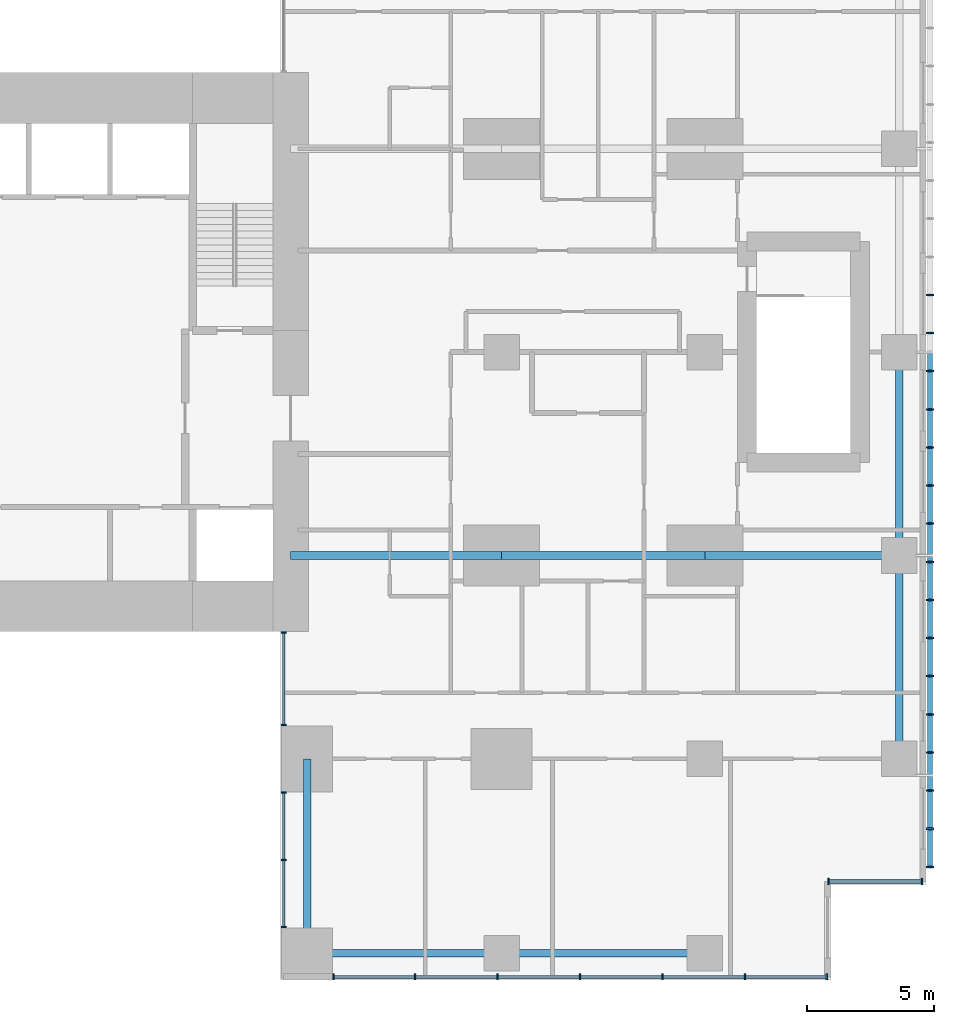
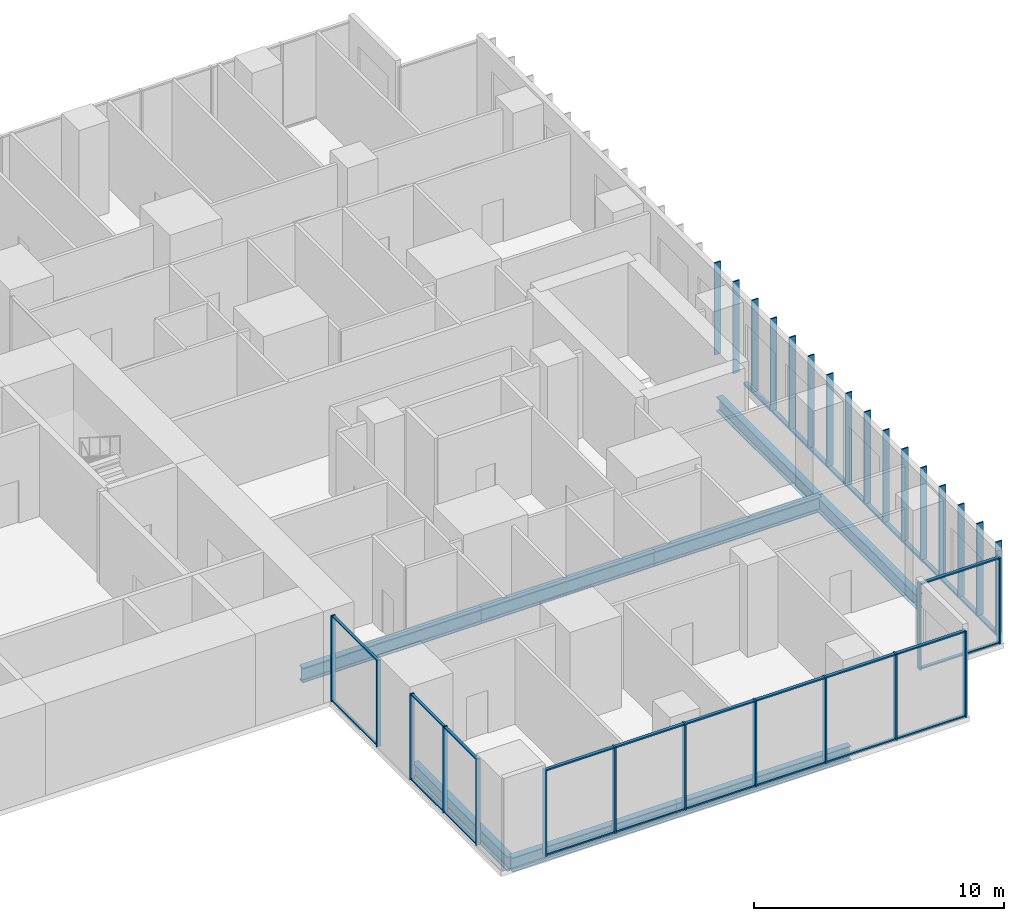
# One storey, part 2 of 11: 52 members, 8 beams, 4 elements without a shape of their own.
"""IFC4 building model written with IfcOpenShell, lengths in metres."""

from ifc_helpers import new_model, si_unit, direction, frame, origin, origin_2d, place, context, subcontext, project, spatial, rectangle, hollow_rectangle, i_section, extrude, material, layer, layer_set, material_profile, profile_set, type_object, element, aggregate, save


model = new_model("IFC4")

# Units and contexts
model_context = context("Model", 3, precision=1e-05, world=origin(), true_north=direction((0.0, 1.0)))
body_context = subcontext(model_context, "Body", "Model", "MODEL_VIEW")
ifc_project = project(units=[si_unit("LENGTHUNIT", "METRE"), si_unit("AREAUNIT", "SQUARE_METRE"), si_unit("VOLUMEUNIT", "CUBIC_METRE"), si_unit("PLANEANGLEUNIT", "RADIAN"), si_unit("MASSUNIT", "GRAM", prefix="KILO")], contexts=[model_context])

# Site, building, storey
site_placement = place(None, origin())
site = spatial("IfcSite", under=ifc_project, at=site_placement, CompositionType="ELEMENT")
building_placement = place(site_placement, origin())
building = spatial("IfcBuilding", under=site, at=building_placement, Name="Cleftline Residences", CompositionType="ELEMENT")
storey_placement = place(building_placement, frame((0.0, 0.0, 287.10009765625)))
storey = spatial("IfcBuildingStorey", under=building, at=storey_placement, Name="L75", CompositionType="ELEMENT", Elevation=287.10009765625)

# Members
ifc_material_1 = material(Name="Steel S355, hot-dip galvanised", Category="steel")
ifc_material_profile_1 = material_profile(ifc_material_1, hollow_rectangle(XDim=0.10009765625, YDim=0.199951171875, WallThickness=0.008056640625, InnerFilletRadius=0.008056640625, OuterFilletRadius=0.011962890625, at=origin_2d()))
ifc_profile_set_1 = profile_set([ifc_material_profile_1], Name="Steel S355, hot-dip galvanised")
member_type_1 = type_object("IfcMemberType", Name="BAGUETTE CARRIER RHS 200X100X8", PredefinedType="USERDEFINED", material=ifc_profile_set_1)
member_1_placement = place(storey_placement, frame((66.85009765625, 3.699951171875, -0.050048828125), z_axis=(0.0, 1.0, 0.0), x_axis=(0.0, 0.0, 1.0)))
element("IfcMember", 1, at=member_1_placement, inside=storey, type_object=member_type_1, Name="Baguette carrier", ObjectType="BAGUETTE CARRIER", PredefinedType="USERDEFINED", context=body_context, shape_type="SweptSolid", body=[
    extrude(hollow_rectangle(XDim=0.10009765625, YDim=0.199951171875, WallThickness=0.008056640625, InnerFilletRadius=0.008056640625, OuterFilletRadius=0.011962890625, at=origin_2d()), origin(), (0.0, 0.0, 1.0), 12.300048828125),
])
member_2_placement = place(storey_placement, frame((66.85009765625, 16.0, -0.050048828125), z_axis=(0.0, 1.0, 0.0), x_axis=(0.0, 0.0, 1.0)))
element("IfcMember", 2, at=member_2_placement, inside=storey, type_object=member_type_1, Name="Baguette carrier", ObjectType="BAGUETTE CARRIER", PredefinedType="USERDEFINED", context=body_context, shape_type="SweptSolid", body=[
    extrude(hollow_rectangle(XDim=0.10009765625, YDim=0.199951171875, WallThickness=0.008056640625, InnerFilletRadius=0.008056640625, OuterFilletRadius=0.011962890625, at=origin_2d()), origin(), (0.0, 0.0, 1.0), 8.0),
])

# Beams
ifc_material_2 = material(Name="Steel S355", Category="steel")
ifc_material_profile_2 = material_profile(ifc_material_2, i_section(OverallWidth=0.300048828125, OverallDepth=0.699951171875, WebThickness=0.01708984375, FlangeThickness=0.031982421875, FilletRadius=0.027099609375, at=origin_2d()))
ifc_profile_set_2 = profile_set([ifc_material_profile_2], Name="Steel S355")
beam_type_1 = type_object("IfcBeamType", Name="BEAM HEB 700", PredefinedType="BEAM", material=ifc_profile_set_2)
for number, where, z_axis, x_axis, name in (
    (3, (65.64990234375, 8.0, -0.60009765625), (0.0, 1.0, 0.0), (-1.0, 0.0, 0.0), "Edge beam"),
    (4, (65.64990234375, 16.0, -0.60009765625), (0.0, 1.0, 0.0), (-1.0, 0.0, 0.0), "Edge beam"),
    (5, (58.0, 0.35009765625, -0.60009765625), (-1.0, 0.0, 0.0), (0.0, -1.0, 0.0), "Edge beam"),
):
    element("IfcBeam", number, at=place(storey_placement, frame(where, z_axis=z_axis, x_axis=x_axis)), inside=storey, type_object=beam_type_1, Name=name, PredefinedType="BEAM", context=body_context, shape_type="SweptSolid", body=[
        extrude(i_section(OverallWidth=0.300048828125, OverallDepth=0.699951171875, WebThickness=0.01708984375, FlangeThickness=0.031982421875, FilletRadius=0.027099609375, at=origin_2d()), origin(), (0.0, 0.0, 1.0), 8.0),
    ])
for number, where, z_axis, x_axis, name in (
    (6, (50.0, 0.35009765625, -0.60009765625), (-1.0, 0.0, 0.0), (0.0, -1.0, 0.0), "Edge beam"),
    (7, (42.35009765625, 0.35009765625, -0.60009765625), (0.0, 1.0, 0.0), (-1.0, 0.0, 0.0), "Edge beam"),
):
    element("IfcBeam", number, at=place(storey_placement, frame(where, z_axis=z_axis, x_axis=x_axis)), inside=storey, type_object=beam_type_1, Name=name, PredefinedType="BEAM", context=body_context, shape_type="SweptSolid", body=[
        extrude(i_section(OverallWidth=0.300048828125, OverallDepth=0.699951171875, WebThickness=0.01708984375, FlangeThickness=0.031982421875, FilletRadius=0.027099609375, at=origin_2d()), origin(), (0.0, 0.0, 1.0), 7.64990234375),
    ])
ifc_material_3 = material(Name="Steel S355", Category="steel")
ifc_material_profile_3 = material_profile(ifc_material_3, i_section(OverallWidth=0.303955078125, OverallDepth=0.716064453125, WebThickness=0.02099609375, FlangeThickness=0.0400390625, FilletRadius=0.027099609375, at=origin_2d()))
ifc_profile_set_3 = profile_set([ifc_material_profile_3], Name="Steel S355")
beam_type_2 = type_object("IfcBeamType", Name="BEAM HEM 700", PredefinedType="BEAM", material=ifc_profile_set_3)
beam_1_placement = place(storey_placement, frame((65.64990234375, 16.0, -0.608154296875), z_axis=(-1.0, 0.0, 0.0), x_axis=(0.0, -1.0, 0.0)))
element("IfcBeam", 8, at=beam_1_placement, inside=storey, type_object=beam_type_2, Name="Band beam", PredefinedType="BEAM", context=body_context, shape_type="SweptSolid", body=[
    extrude(i_section(OverallWidth=0.303955078125, OverallDepth=0.716064453125, WebThickness=0.02099609375, FlangeThickness=0.0400390625, FilletRadius=0.027099609375, at=origin_2d()), origin(), (0.0, 0.0, 1.0), 7.64990234375),
])
beam_2_placement = place(storey_placement, frame((58.0, 16.0, -0.608154296875), z_axis=(-1.0, 0.0, 0.0), x_axis=(0.0, -1.0, 0.0)))
element("IfcBeam", 9, at=beam_2_placement, inside=storey, type_object=beam_type_2, Name="Band beam", PredefinedType="BEAM", context=body_context, shape_type="SweptSolid", body=[
    extrude(i_section(OverallWidth=0.303955078125, OverallDepth=0.716064453125, WebThickness=0.02099609375, FlangeThickness=0.0400390625, FilletRadius=0.027099609375, at=origin_2d()), origin(), (0.0, 0.0, 1.0), 8.0),
])
beam_3_placement = place(storey_placement, frame((50.0, 16.0, -0.608154296875), z_axis=(-1.0, 0.0, 0.0), x_axis=(0.0, -1.0, 0.0)))
element("IfcBeam", 10, at=beam_3_placement, inside=storey, type_object=beam_type_2, Name="Band beam", PredefinedType="BEAM", context=body_context, shape_type="SweptSolid", body=[
    extrude(i_section(OverallWidth=0.303955078125, OverallDepth=0.716064453125, WebThickness=0.02099609375, FlangeThickness=0.0400390625, FilletRadius=0.027099609375, at=origin_2d()), origin(), (0.0, 0.0, 1.0), 8.300048828125),
])

# Curtain wall, members
ifc_material_4 = material(Name="Aluminium framed curtain wall", Category="aluminium")
ifc_layer_1 = layer(ifc_material_4, 0.199951171875)
ifc_layer_set_1 = layer_set([ifc_layer_1], Name="CW1 CLEFT GLAZING")
curtain_wall_type_1 = type_object("IfcCurtainWallType", Name="CW1 CLEFT GLAZING", PredefinedType="NOTDEFINED", material=ifc_layer_set_1)
curtain_wall_1_placement = place(storey_placement, origin())
curtain_wall_1 = element("IfcCurtainWall", 11, at=curtain_wall_1_placement, inside=storey, type_object=curtain_wall_type_1, Name="Curtain wall CW1", PredefinedType="NOTDEFINED")
ifc_material_5 = material(Name="Aluminium mullion", Category="aluminium")
ifc_material_profile_4 = material_profile(ifc_material_5, rectangle(XDim=0.199951171875, YDim=0.06005859375, at=origin_2d()))
ifc_profile_set_4 = profile_set([ifc_material_profile_4], Name="Aluminium mullion")
member_type_2 = type_object("IfcMemberType", Name="CW1 MULLION", PredefinedType="MULLION", material=ifc_profile_set_4)
member_3_placement = place(storey_placement, frame((41.425048828125, 12.969970703125, 0.0), z_axis=(0.0, 0.0, 1.0), x_axis=(1.0, 0.0, 0.0)))
member_3 = element("IfcMember", 12, at=member_3_placement, type_object=member_type_2, Name="CW1 mullion 1", PredefinedType="MULLION", context=body_context, shape_type="SweptSolid", body=[
    extrude(rectangle(XDim=0.199951171875, YDim=0.06005859375, at=origin_2d()), origin(), (0.0, 0.0, 1.0), 4.199951171875),
])
member_4_placement = place(storey_placement, frame((41.425048828125, 9.330078125, 0.0), z_axis=(0.0, 0.0, 1.0), x_axis=(1.0, 0.0, 0.0)))
member_4 = element("IfcMember", 13, at=member_4_placement, type_object=member_type_2, Name="CW1 mullion 2", PredefinedType="MULLION", context=body_context, shape_type="SweptSolid", body=[
    extrude(rectangle(XDim=0.199951171875, YDim=0.06005859375, at=origin_2d()), origin(), (0.0, 0.0, 1.0), 4.199951171875),
])

curtain_wall_2_placement = place(storey_placement, origin())
curtain_wall_2 = element("IfcCurtainWall", 14, at=curtain_wall_2_placement, inside=storey, type_object=curtain_wall_type_1, Name="Curtain wall CW1", PredefinedType="NOTDEFINED")
member_5_placement = place(storey_placement, frame((41.425048828125, 6.669921875, 0.0), z_axis=(0.0, 0.0, 1.0), x_axis=(1.0, 0.0, 0.0)))
member_5 = element("IfcMember", 15, at=member_5_placement, type_object=member_type_2, Name="CW1 mullion 1", PredefinedType="MULLION", context=body_context, shape_type="SweptSolid", body=[
    extrude(rectangle(XDim=0.199951171875, YDim=0.06005859375, at=origin_2d()), origin(), (0.0, 0.0, 1.0), 4.199951171875),
])
member_6_placement = place(storey_placement, frame((41.425048828125, 4.02490234375, 0.0), z_axis=(0.0, 0.0, 1.0), x_axis=(1.0, 0.0, 0.0)))
member_6 = element("IfcMember", 16, at=member_6_placement, type_object=member_type_2, Name="CW1 mullion 2", PredefinedType="MULLION", context=body_context, shape_type="SweptSolid", body=[
    extrude(rectangle(XDim=0.199951171875, YDim=0.06005859375, at=origin_2d()), origin(), (0.0, 0.0, 1.0), 4.199951171875),
])
member_7_placement = place(storey_placement, frame((41.425048828125, 1.3798828125, 0.0), z_axis=(0.0, 0.0, 1.0), x_axis=(1.0, 0.0, 0.0)))
member_7 = element("IfcMember", 17, at=member_7_placement, type_object=member_type_2, Name="CW1 mullion 3", PredefinedType="MULLION", context=body_context, shape_type="SweptSolid", body=[
    extrude(rectangle(XDim=0.199951171875, YDim=0.06005859375, at=origin_2d()), origin(), (0.0, 0.0, 1.0), 4.199951171875),
])

# Member
ifc_material_6 = material(Name="Aluminium transom", Category="aluminium")
ifc_material_profile_5 = material_profile(ifc_material_6, rectangle(XDim=0.1201171875, YDim=0.06005859375, at=origin_2d()))
ifc_profile_set_5 = profile_set([ifc_material_profile_5], Name="Aluminium transom")
member_type_3 = type_object("IfcMemberType", Name="CW1 TRANSOM", PredefinedType="USERDEFINED", material=ifc_profile_set_5)
member_8_placement = place(storey_placement, frame((41.425048828125, 12.93994140625, 0.02978515625), z_axis=(0.0, -1.0, 0.0), x_axis=(1.0, 0.0, 0.0)))
member_8 = element("IfcMember", 18, at=member_8_placement, type_object=member_type_3, Name="CW1 transom 1.1", ObjectType="TRANSOM", PredefinedType="USERDEFINED", context=body_context, shape_type="SweptSolid", body=[
    extrude(rectangle(XDim=0.1201171875, YDim=0.06005859375, at=origin_2d()), origin(), (0.0, 0.0, 1.0), 3.579833984375),
])

member_9_placement = place(storey_placement, frame((41.425048828125, 12.93994140625, 4.169921875), z_axis=(0.0, -1.0, 0.0), x_axis=(1.0, 0.0, 0.0)))
member_9 = element("IfcMember", 19, at=member_9_placement, type_object=member_type_3, Name="CW1 transom 1.2", ObjectType="TRANSOM", PredefinedType="USERDEFINED", context=body_context, shape_type="SweptSolid", body=[
    extrude(rectangle(XDim=0.1201171875, YDim=0.06005859375, at=origin_2d()), origin(), (0.0, 0.0, 1.0), 3.579833984375),
])

aggregate(curtain_wall_1, [member_3, member_4, member_8, member_9])

member_10_placement = place(storey_placement, frame((41.425048828125, 6.639892578125, 0.02978515625), z_axis=(0.0, -1.0, 0.0), x_axis=(1.0, 0.0, 0.0)))
member_10 = element("IfcMember", 20, at=member_10_placement, type_object=member_type_3, Name="CW1 transom 1.1", ObjectType="TRANSOM", PredefinedType="USERDEFINED", context=body_context, shape_type="SweptSolid", body=[
    extrude(rectangle(XDim=0.1201171875, YDim=0.06005859375, at=origin_2d()), origin(), (0.0, 0.0, 1.0), 2.5849609375),
])

member_11_placement = place(storey_placement, frame((41.425048828125, 6.639892578125, 4.169921875), z_axis=(0.0, -1.0, 0.0), x_axis=(1.0, 0.0, 0.0)))
member_11 = element("IfcMember", 21, at=member_11_placement, type_object=member_type_3, Name="CW1 transom 1.2", ObjectType="TRANSOM", PredefinedType="USERDEFINED", context=body_context, shape_type="SweptSolid", body=[
    extrude(rectangle(XDim=0.1201171875, YDim=0.06005859375, at=origin_2d()), origin(), (0.0, 0.0, 1.0), 2.5849609375),
])

member_12_placement = place(storey_placement, frame((41.425048828125, 3.9951171875, 0.02978515625), z_axis=(0.0, -1.0, 0.0), x_axis=(1.0, 0.0, 0.0)))
member_12 = element("IfcMember", 22, at=member_12_placement, type_object=member_type_3, Name="CW1 transom 2.1", ObjectType="TRANSOM", PredefinedType="USERDEFINED", context=body_context, shape_type="SweptSolid", body=[
    extrude(rectangle(XDim=0.1201171875, YDim=0.06005859375, at=origin_2d()), origin(), (0.0, 0.0, 1.0), 2.585205078125),
])

member_13_placement = place(storey_placement, frame((41.425048828125, 3.9951171875, 4.169921875), z_axis=(0.0, -1.0, 0.0), x_axis=(1.0, 0.0, 0.0)))
member_13 = element("IfcMember", 23, at=member_13_placement, type_object=member_type_3, Name="CW1 transom 2.2", ObjectType="TRANSOM", PredefinedType="USERDEFINED", context=body_context, shape_type="SweptSolid", body=[
    extrude(rectangle(XDim=0.1201171875, YDim=0.06005859375, at=origin_2d()), origin(), (0.0, 0.0, 1.0), 2.585205078125),
])

aggregate(curtain_wall_2, [member_5, member_6, member_7, member_10, member_11, member_12, member_13])

# Curtain wall, members
ifc_material_7 = material(Name="Aluminium framed curtain wall", Category="aluminium")
ifc_layer_2 = layer(ifc_material_7, 0.199951171875)
ifc_layer_set_2 = layer_set([ifc_layer_2], Name="CW5 PENTHOUSE GLAZING")
curtain_wall_type_2 = type_object("IfcCurtainWallType", Name="CW5 PENTHOUSE GLAZING", PredefinedType="NOTDEFINED", material=ifc_layer_set_2)
curtain_wall_3_placement = place(storey_placement, origin())
curtain_wall_3 = element("IfcCurtainWall", 24, at=curtain_wall_3_placement, inside=storey, type_object=curtain_wall_type_2, Name="Curtain wall CW5", PredefinedType="NOTDEFINED")
ifc_material_8 = material(Name="Aluminium mullion", Category="aluminium")
ifc_material_profile_6 = material_profile(ifc_material_8, rectangle(XDim=0.239990234375, YDim=0.070068359375, at=origin_2d()))
ifc_profile_set_6 = profile_set([ifc_material_profile_6], Name="Aluminium mullion")
member_type_4 = type_object("IfcMemberType", Name="CW5 MULLION", PredefinedType="MULLION", material=ifc_profile_set_6)
member_14_placement = place(storey_placement, frame((43.385009765625, -0.574951171875, 0.0), z_axis=(0.0, 0.0, 1.0), x_axis=(0.0, 1.0, 0.0)))
member_14 = element("IfcMember", 25, at=member_14_placement, type_object=member_type_4, Name="CW5 mullion 1", PredefinedType="MULLION", context=body_context, shape_type="SweptSolid", body=[
    extrude(rectangle(XDim=0.239990234375, YDim=0.070068359375, at=origin_2d()), origin(), (0.0, 0.0, 1.0), 4.199951171875),
])
member_15_placement = place(storey_placement, frame((46.595947265625, -0.574951171875, 0.0), z_axis=(0.0, 0.0, 1.0), x_axis=(0.0, 1.0, 0.0)))
member_15 = element("IfcMember", 26, at=member_15_placement, type_object=member_type_4, Name="CW5 mullion 2", PredefinedType="MULLION", context=body_context, shape_type="SweptSolid", body=[
    extrude(rectangle(XDim=0.239990234375, YDim=0.070068359375, at=origin_2d()), origin(), (0.0, 0.0, 1.0), 4.199951171875),
])
member_16_placement = place(storey_placement, frame((49.841552734375, -0.574951171875, 0.0), z_axis=(0.0, 0.0, 1.0), x_axis=(0.0, 1.0, 0.0)))
member_16 = element("IfcMember", 27, at=member_16_placement, type_object=member_type_4, Name="CW5 mullion 3", PredefinedType="MULLION", context=body_context, shape_type="SweptSolid", body=[
    extrude(rectangle(XDim=0.239990234375, YDim=0.070068359375, at=origin_2d()), origin(), (0.0, 0.0, 1.0), 4.199951171875),
])
member_17_placement = place(storey_placement, frame((53.08740234375, -0.574951171875, 0.0), z_axis=(0.0, 0.0, 1.0), x_axis=(0.0, 1.0, 0.0)))
member_17 = element("IfcMember", 28, at=member_17_placement, type_object=member_type_4, Name="CW5 mullion 4", PredefinedType="MULLION", context=body_context, shape_type="SweptSolid", body=[
    extrude(rectangle(XDim=0.239990234375, YDim=0.070068359375, at=origin_2d()), origin(), (0.0, 0.0, 1.0), 4.199951171875),
])
member_18_placement = place(storey_placement, frame((56.333251953125, -0.574951171875, 0.0), z_axis=(0.0, 0.0, 1.0), x_axis=(0.0, 1.0, 0.0)))
member_18 = element("IfcMember", 29, at=member_18_placement, type_object=member_type_4, Name="CW5 mullion 5", PredefinedType="MULLION", context=body_context, shape_type="SweptSolid", body=[
    extrude(rectangle(XDim=0.239990234375, YDim=0.070068359375, at=origin_2d()), origin(), (0.0, 0.0, 1.0), 4.199951171875),
])
member_19_placement = place(storey_placement, frame((59.5791015625, -0.574951171875, 0.0), z_axis=(0.0, 0.0, 1.0), x_axis=(0.0, 1.0, 0.0)))
member_19 = element("IfcMember", 30, at=member_19_placement, type_object=member_type_4, Name="CW5 mullion 6", PredefinedType="MULLION", context=body_context, shape_type="SweptSolid", body=[
    extrude(rectangle(XDim=0.239990234375, YDim=0.070068359375, at=origin_2d()), origin(), (0.0, 0.0, 1.0), 4.199951171875),
])
member_20_placement = place(storey_placement, frame((62.7900390625, -0.574951171875, 0.0), z_axis=(0.0, 0.0, 1.0), x_axis=(0.0, 1.0, 0.0)))
member_20 = element("IfcMember", 31, at=member_20_placement, type_object=member_type_4, Name="CW5 mullion 7", PredefinedType="MULLION", context=body_context, shape_type="SweptSolid", body=[
    extrude(rectangle(XDim=0.239990234375, YDim=0.070068359375, at=origin_2d()), origin(), (0.0, 0.0, 1.0), 4.199951171875),
])

curtain_wall_4_placement = place(storey_placement, origin())
curtain_wall_4 = element("IfcCurtainWall", 32, at=curtain_wall_4_placement, inside=storey, type_object=curtain_wall_type_2, Name="Curtain wall CW5", PredefinedType="NOTDEFINED")
member_21_placement = place(storey_placement, frame((62.860107421875, 3.175048828125, 0.0), z_axis=(0.0, 0.0, 1.0), x_axis=(0.0, 1.0, 0.0)))
member_21 = element("IfcMember", 33, at=member_21_placement, type_object=member_type_4, Name="CW5 mullion 1", PredefinedType="MULLION", context=body_context, shape_type="SweptSolid", body=[
    extrude(rectangle(XDim=0.239990234375, YDim=0.070068359375, at=origin_2d()), origin(), (0.0, 0.0, 1.0), 4.199951171875),
])
member_22_placement = place(storey_placement, frame((66.5400390625, 3.175048828125, 0.0), z_axis=(0.0, 0.0, 1.0), x_axis=(0.0, 1.0, 0.0)))
member_22 = element("IfcMember", 34, at=member_22_placement, type_object=member_type_4, Name="CW5 mullion 2", PredefinedType="MULLION", context=body_context, shape_type="SweptSolid", body=[
    extrude(rectangle(XDim=0.239990234375, YDim=0.070068359375, at=origin_2d()), origin(), (0.0, 0.0, 1.0), 4.199951171875),
])

# Member
ifc_material_9 = material(Name="Aluminium transom", Category="aluminium")
ifc_material_profile_7 = material_profile(ifc_material_9, rectangle(XDim=0.14404296875, YDim=0.070068359375, at=origin_2d()))
ifc_profile_set_7 = profile_set([ifc_material_profile_7], Name="Aluminium transom")
member_type_5 = type_object("IfcMemberType", Name="CW5 TRANSOM", PredefinedType="USERDEFINED", material=ifc_profile_set_7)
member_23_placement = place(storey_placement, frame((43.419921875, -0.574951171875, 0.034912109375), z_axis=(1.0, 0.0, 0.0), x_axis=(0.0, 1.0, 0.0)))
member_23 = element("IfcMember", 35, at=member_23_placement, type_object=member_type_5, Name="CW5 transom 1.1", ObjectType="TRANSOM", PredefinedType="USERDEFINED", context=body_context, shape_type="SweptSolid", body=[
    extrude(rectangle(XDim=0.14404296875, YDim=0.070068359375, at=origin_2d()), origin(), (0.0, 0.0, 1.0), 3.140869140625),
])

member_24_placement = place(storey_placement, frame((43.419921875, -0.574951171875, 4.164794921875), z_axis=(1.0, 0.0, 0.0), x_axis=(0.0, 1.0, 0.0)))
member_24 = element("IfcMember", 36, at=member_24_placement, type_object=member_type_5, Name="CW5 transom 1.2", ObjectType="TRANSOM", PredefinedType="USERDEFINED", context=body_context, shape_type="SweptSolid", body=[
    extrude(rectangle(XDim=0.14404296875, YDim=0.070068359375, at=origin_2d()), origin(), (0.0, 0.0, 1.0), 3.140869140625),
])

member_25_placement = place(storey_placement, frame((46.630859375, -0.574951171875, 0.034912109375), z_axis=(1.0, 0.0, 0.0), x_axis=(0.0, 1.0, 0.0)))
member_25 = element("IfcMember", 37, at=member_25_placement, type_object=member_type_5, Name="CW5 transom 2.1", ObjectType="TRANSOM", PredefinedType="USERDEFINED", context=body_context, shape_type="SweptSolid", body=[
    extrude(rectangle(XDim=0.14404296875, YDim=0.070068359375, at=origin_2d()), origin(), (0.0, 0.0, 1.0), 3.17578125),
])

member_26_placement = place(storey_placement, frame((46.630859375, -0.574951171875, 4.164794921875), z_axis=(1.0, 0.0, 0.0), x_axis=(0.0, 1.0, 0.0)))
member_26 = element("IfcMember", 38, at=member_26_placement, type_object=member_type_5, Name="CW5 transom 2.2", ObjectType="TRANSOM", PredefinedType="USERDEFINED", context=body_context, shape_type="SweptSolid", body=[
    extrude(rectangle(XDim=0.14404296875, YDim=0.070068359375, at=origin_2d()), origin(), (0.0, 0.0, 1.0), 3.17578125),
])

member_27_placement = place(storey_placement, frame((49.876708984375, -0.574951171875, 0.034912109375), z_axis=(1.0, 0.0, 0.0), x_axis=(0.0, 1.0, 0.0)))
member_27 = element("IfcMember", 39, at=member_27_placement, type_object=member_type_5, Name="CW5 transom 3.1", ObjectType="TRANSOM", PredefinedType="USERDEFINED", context=body_context, shape_type="SweptSolid", body=[
    extrude(rectangle(XDim=0.14404296875, YDim=0.070068359375, at=origin_2d()), origin(), (0.0, 0.0, 1.0), 3.17578125),
])

member_28_placement = place(storey_placement, frame((49.876708984375, -0.574951171875, 4.164794921875), z_axis=(1.0, 0.0, 0.0), x_axis=(0.0, 1.0, 0.0)))
member_28 = element("IfcMember", 40, at=member_28_placement, type_object=member_type_5, Name="CW5 transom 3.2", ObjectType="TRANSOM", PredefinedType="USERDEFINED", context=body_context, shape_type="SweptSolid", body=[
    extrude(rectangle(XDim=0.14404296875, YDim=0.070068359375, at=origin_2d()), origin(), (0.0, 0.0, 1.0), 3.17578125),
])

member_29_placement = place(storey_placement, frame((53.12255859375, -0.574951171875, 0.034912109375), z_axis=(1.0, 0.0, 0.0), x_axis=(0.0, 1.0, 0.0)))
member_29 = element("IfcMember", 41, at=member_29_placement, type_object=member_type_5, Name="CW5 transom 4.1", ObjectType="TRANSOM", PredefinedType="USERDEFINED", context=body_context, shape_type="SweptSolid", body=[
    extrude(rectangle(XDim=0.14404296875, YDim=0.070068359375, at=origin_2d()), origin(), (0.0, 0.0, 1.0), 3.17578125),
])

member_30_placement = place(storey_placement, frame((53.12255859375, -0.574951171875, 4.164794921875), z_axis=(1.0, 0.0, 0.0), x_axis=(0.0, 1.0, 0.0)))
member_30 = element("IfcMember", 42, at=member_30_placement, type_object=member_type_5, Name="CW5 transom 4.2", ObjectType="TRANSOM", PredefinedType="USERDEFINED", context=body_context, shape_type="SweptSolid", body=[
    extrude(rectangle(XDim=0.14404296875, YDim=0.070068359375, at=origin_2d()), origin(), (0.0, 0.0, 1.0), 3.17578125),
])

member_31_placement = place(storey_placement, frame((56.368408203125, -0.574951171875, 0.034912109375), z_axis=(1.0, 0.0, 0.0), x_axis=(0.0, 1.0, 0.0)))
member_31 = element("IfcMember", 43, at=member_31_placement, type_object=member_type_5, Name="CW5 transom 5.1", ObjectType="TRANSOM", PredefinedType="USERDEFINED", context=body_context, shape_type="SweptSolid", body=[
    extrude(rectangle(XDim=0.14404296875, YDim=0.070068359375, at=origin_2d()), origin(), (0.0, 0.0, 1.0), 3.17578125),
])

member_32_placement = place(storey_placement, frame((56.368408203125, -0.574951171875, 4.164794921875), z_axis=(1.0, 0.0, 0.0), x_axis=(0.0, 1.0, 0.0)))
member_32 = element("IfcMember", 44, at=member_32_placement, type_object=member_type_5, Name="CW5 transom 5.2", ObjectType="TRANSOM", PredefinedType="USERDEFINED", context=body_context, shape_type="SweptSolid", body=[
    extrude(rectangle(XDim=0.14404296875, YDim=0.070068359375, at=origin_2d()), origin(), (0.0, 0.0, 1.0), 3.17578125),
])

member_33_placement = place(storey_placement, frame((59.6142578125, -0.574951171875, 0.034912109375), z_axis=(1.0, 0.0, 0.0), x_axis=(0.0, 1.0, 0.0)))
member_33 = element("IfcMember", 45, at=member_33_placement, type_object=member_type_5, Name="CW5 transom 6.1", ObjectType="TRANSOM", PredefinedType="USERDEFINED", context=body_context, shape_type="SweptSolid", body=[
    extrude(rectangle(XDim=0.14404296875, YDim=0.070068359375, at=origin_2d()), origin(), (0.0, 0.0, 1.0), 3.140625),
])

member_34_placement = place(storey_placement, frame((59.6142578125, -0.574951171875, 4.164794921875), z_axis=(1.0, 0.0, 0.0), x_axis=(0.0, 1.0, 0.0)))
member_34 = element("IfcMember", 46, at=member_34_placement, type_object=member_type_5, Name="CW5 transom 6.2", ObjectType="TRANSOM", PredefinedType="USERDEFINED", context=body_context, shape_type="SweptSolid", body=[
    extrude(rectangle(XDim=0.14404296875, YDim=0.070068359375, at=origin_2d()), origin(), (0.0, 0.0, 1.0), 3.140625),
])

aggregate(curtain_wall_3, [member_14, member_15, member_16, member_17, member_18, member_19, member_20, member_23, member_24, member_25, member_26, member_27, member_28, member_29, member_30, member_31, member_32, member_33, member_34])

member_35_placement = place(storey_placement, frame((62.89501953125, 3.175048828125, 0.034912109375), z_axis=(1.0, 0.0, 0.0), x_axis=(0.0, 1.0, 0.0)))
member_35 = element("IfcMember", 47, at=member_35_placement, type_object=member_type_5, Name="CW5 transom 1.1", ObjectType="TRANSOM", PredefinedType="USERDEFINED", context=body_context, shape_type="SweptSolid", body=[
    extrude(rectangle(XDim=0.14404296875, YDim=0.070068359375, at=origin_2d()), origin(), (0.0, 0.0, 1.0), 3.60986328125),
])

member_36_placement = place(storey_placement, frame((62.89501953125, 3.175048828125, 4.164794921875), z_axis=(1.0, 0.0, 0.0), x_axis=(0.0, 1.0, 0.0)))
member_36 = element("IfcMember", 48, at=member_36_placement, type_object=member_type_5, Name="CW5 transom 1.2", ObjectType="TRANSOM", PredefinedType="USERDEFINED", context=body_context, shape_type="SweptSolid", body=[
    extrude(rectangle(XDim=0.14404296875, YDim=0.070068359375, at=origin_2d()), origin(), (0.0, 0.0, 1.0), 3.60986328125),
])

aggregate(curtain_wall_4, [member_21, member_22, member_35, member_36])

# Members
ifc_material_10 = material(Name="Extruded terracotta", Category="masonry")
ifc_material_profile_8 = material_profile(ifc_material_10, rectangle(XDim=0.06005859375, YDim=0.300048828125, at=origin_2d()))
ifc_profile_set_8 = profile_set([ifc_material_profile_8], Name="Extruded terracotta")
member_type_6 = type_object("IfcMemberType", Name="TERRACOTTA BAGUETTE 60X300", PredefinedType="USERDEFINED", material=ifc_profile_set_8)
for number, where, z_axis, x_axis, name in (
    (49, (66.85009765625, 3.75, 0.0), (0.0, 0.0, 1.0), (0.0, 1.0, 0.0), "Terracotta baguette"),
    (50, (66.85009765625, 5.25, 0.0), (0.0, 0.0, 1.0), (0.0, 1.0, 0.0), "Terracotta baguette"),
    (51, (66.85009765625, 6.75, 0.0), (0.0, 0.0, 1.0), (0.0, 1.0, 0.0), "Terracotta baguette"),
    (52, (66.85009765625, 8.25, 0.0), (0.0, 0.0, 1.0), (0.0, 1.0, 0.0), "Terracotta baguette"),
    (53, (66.85009765625, 9.75, 0.0), (0.0, 0.0, 1.0), (0.0, 1.0, 0.0), "Terracotta baguette"),
    (54, (66.85009765625, 11.25, 0.0), (0.0, 0.0, 1.0), (0.0, 1.0, 0.0), "Terracotta baguette"),
    (55, (66.85009765625, 12.75, 0.0), (0.0, 0.0, 1.0), (0.0, 1.0, 0.0), "Terracotta baguette"),
    (56, (66.85009765625, 14.25, 0.0), (0.0, 0.0, 1.0), (0.0, 1.0, 0.0), "Terracotta baguette"),
    (57, (66.85009765625, 15.75, 0.0), (0.0, 0.0, 1.0), (0.0, 1.0, 0.0), "Terracotta baguette"),
    (58, (66.85009765625, 17.25, 0.0), (0.0, 0.0, 1.0), (0.0, 1.0, 0.0), "Terracotta baguette"),
    (59, (66.85009765625, 18.75, 0.0), (0.0, 0.0, 1.0), (0.0, 1.0, 0.0), "Terracotta baguette"),
    (60, (66.85009765625, 20.25, 0.0), (0.0, 0.0, 1.0), (0.0, 1.0, 0.0), "Terracotta baguette"),
    (61, (66.85009765625, 21.75, 0.0), (0.0, 0.0, 1.0), (0.0, 1.0, 0.0), "Terracotta baguette"),
    (62, (66.85009765625, 23.25, 0.0), (0.0, 0.0, 1.0), (0.0, 1.0, 0.0), "Terracotta baguette"),
    (63, (66.85009765625, 24.75, 0.0), (0.0, 0.0, 1.0), (0.0, 1.0, 0.0), "Terracotta baguette"),
    (64, (66.85009765625, 26.25, 0.0), (0.0, 0.0, 1.0), (0.0, 1.0, 0.0), "Terracotta baguette"),
):
    element("IfcMember", number, at=place(storey_placement, frame(where, z_axis=z_axis, x_axis=x_axis)), inside=storey, type_object=member_type_6, Name=name, ObjectType="BAGUETTE", PredefinedType="USERDEFINED", context=body_context, shape_type="SweptSolid", body=[
        extrude(rectangle(XDim=0.06005859375, YDim=0.300048828125, at=origin_2d()), origin(), (0.0, 0.0, 1.0), 4.5),
    ])

save(model, "model.ifc")
